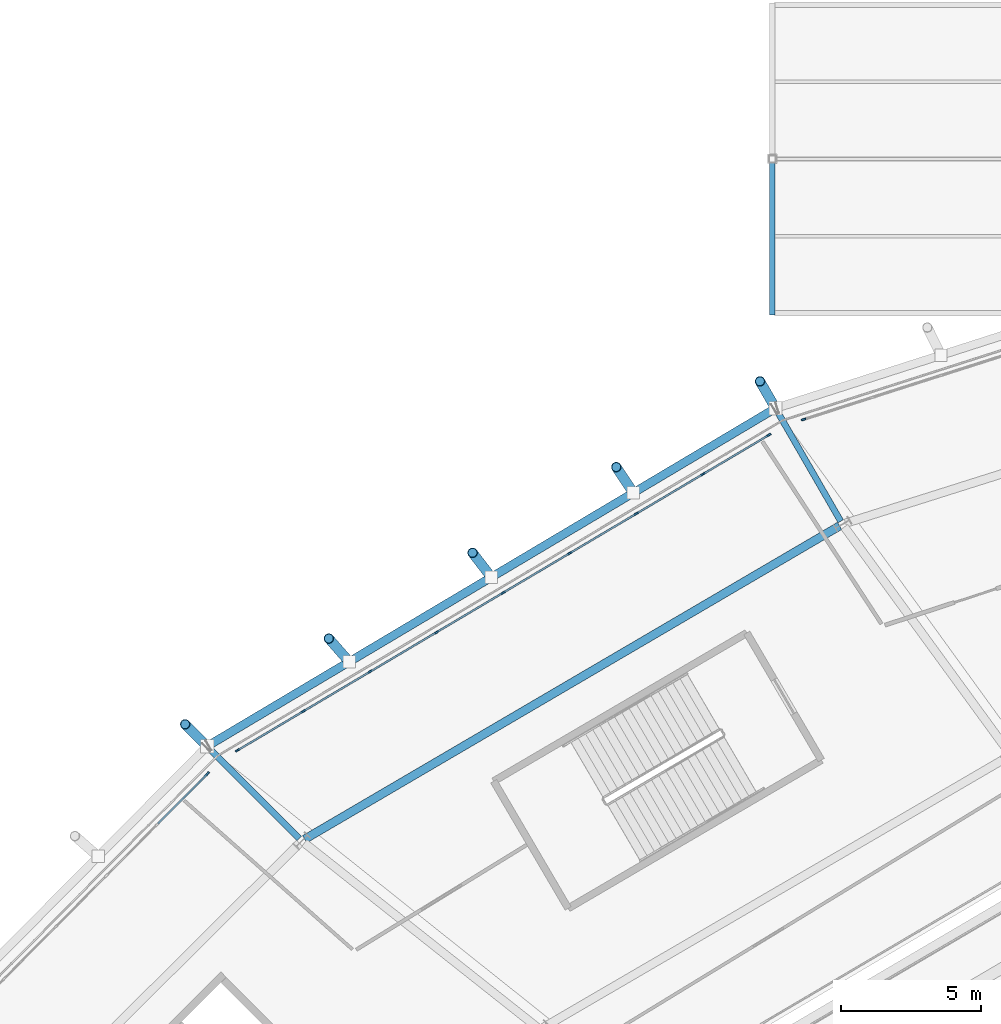
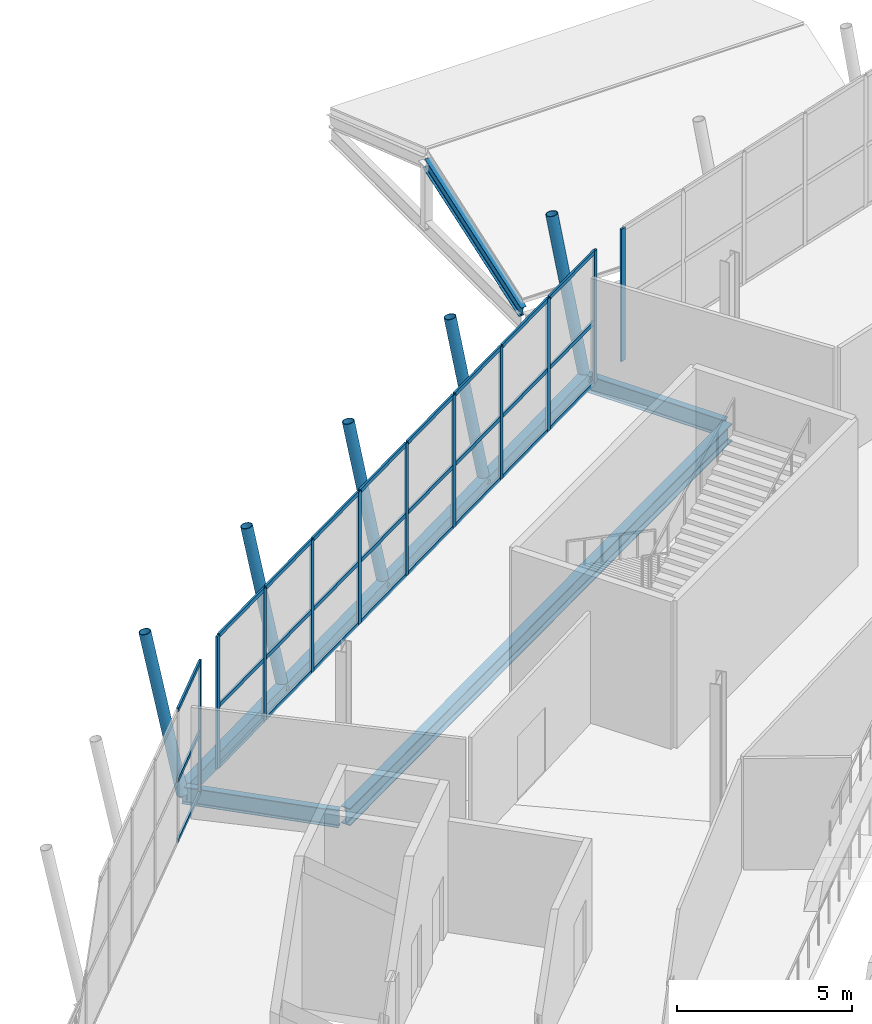
# One storey, part 49 of 126: 44 members, 4 beams, 3 elements without a shape of their own.
"""IFC4 building model written with IfcOpenShell, lengths in metres."""

from ifc_helpers import new_model, si_unit, direction, frame, origin, origin_2d, place, context, subcontext, project, spatial, rectangle, hollow_rectangle, hollow_circle, i_section, extrude, material, material_profile, profile_set, type_object, element, aggregate, save


model = new_model("IFC4")

# Units and contexts
model_context = context("Model", 3, precision=1e-05, world=origin(), true_north=direction((0.0, 1.0)))
body_context = subcontext(model_context, "Body", "Model", "MODEL_VIEW")
ifc_project = project(units=[si_unit("LENGTHUNIT", "METRE"), si_unit("AREAUNIT", "SQUARE_METRE"), si_unit("VOLUMEUNIT", "CUBIC_METRE"), si_unit("PLANEANGLEUNIT", "RADIAN"), si_unit("MASSUNIT", "GRAM", prefix="KILO")], contexts=[model_context])

# Site, building, storey
site_placement = place(None, origin())
site = spatial("IfcSite", under=ifc_project, at=site_placement, CompositionType="ELEMENT")
building_placement = place(site_placement, origin())
building = spatial("IfcBuilding", under=site, at=building_placement, Name="Zlatoyarsky Gate Stadium", CompositionType="ELEMENT")
storey_placement = place(building_placement, frame((0.0, 0.0, 20.800048828125)))
storey = spatial("IfcBuildingStorey", under=building, at=storey_placement, Name="L04", CompositionType="ELEMENT", Elevation=20.800048828125)

# Curtain wall, member
ifc_material_1 = material(Name="Thermally broken anodised aluminium curtain wall", Category="aluminium")
curtain_wall_type = type_object("IfcCurtainWallType", Name="UNITISED MEDIA RING GLAZING L04", PredefinedType="USERDEFINED", material=ifc_material_1)
curtain_wall_1_placement = place(storey_placement, origin())
curtain_wall_1 = element("IfcCurtainWall", 1, at=curtain_wall_1_placement, inside=storey, type_object=curtain_wall_type, Name="Curtain wall CW-L04-07", ObjectType="UNITISED GLAZING", PredefinedType="USERDEFINED")
ifc_material_2 = material(Name="Anodised aluminium 6063-T6", Category="aluminium")
ifc_material_profile_1 = material_profile(ifc_material_2, rectangle(XDim=0.06494140625, YDim=0.159912109375, at=origin_2d()), Name="ALU 65X160")
ifc_profile_set_1 = profile_set([ifc_material_profile_1], Name="Anodised aluminium 6063-T6")
member_type_1 = type_object("IfcMemberType", Name="ALUMINIUM MULLION 65X160", PredefinedType="MULLION", material=ifc_profile_set_1)
member_1_placement = place(storey_placement, frame((63.115234375, 145.220458984375, 0.0), z_axis=(0.0, 0.0, 1.0), x_axis=(0.305065730928, -0.952331297298, 0.0)))
member_1 = element("IfcMember", 2, at=member_1_placement, type_object=member_type_1, Name="CW-UG4 mullion 10", PredefinedType="MULLION", context=body_context, shape_type="SweptSolid", body=[
    extrude(rectangle(XDim=0.06494140625, YDim=0.159912109375, at=origin_2d()), origin(), (0.0, 0.0, 1.0), 4.619873046875),
])
aggregate(curtain_wall_1, [member_1])

# Curtain wall, members
curtain_wall_2_placement = place(storey_placement, origin())
curtain_wall_2 = element("IfcCurtainWall", 3, at=curtain_wall_2_placement, inside=storey, type_object=curtain_wall_type, Name="Curtain wall CW-L04-08", ObjectType="UNITISED GLAZING", PredefinedType="USERDEFINED")
member_2_placement = place(storey_placement, frame((61.878173828125, 144.663818359375, 0.0), z_axis=(0.0, 0.0, 1.0), x_axis=(0.510330476285, -0.859978374713, 0.0)))
member_2 = element("IfcMember", 4, at=member_2_placement, type_object=member_type_1, Name="CW-UG4 mullion 1", PredefinedType="MULLION", context=body_context, shape_type="SweptSolid", body=[
    extrude(rectangle(XDim=0.06494140625, YDim=0.159912109375, at=origin_2d()), origin(), (0.0, 0.0, 1.0), 4.619873046875),
])
member_3_placement = place(storey_placement, frame((59.532958984375, 143.272216796875, 0.0), z_axis=(0.0, 0.0, 1.0), x_axis=(0.510330476285, -0.859978374713, 0.0)))
member_3 = element("IfcMember", 5, at=member_3_placement, type_object=member_type_1, Name="CW-UG4 mullion 2", PredefinedType="MULLION", context=body_context, shape_type="SweptSolid", body=[
    extrude(rectangle(XDim=0.06494140625, YDim=0.159912109375, at=origin_2d()), origin(), (0.0, 0.0, 1.0), 4.619873046875),
])
member_4_placement = place(storey_placement, frame((57.15966796875, 141.86376953125, 0.0), z_axis=(0.0, 0.0, 1.0), x_axis=(0.510330476285, -0.859978374713, 0.0)))
member_4 = element("IfcMember", 6, at=member_4_placement, type_object=member_type_1, Name="CW-UG4 mullion 3", PredefinedType="MULLION", context=body_context, shape_type="SweptSolid", body=[
    extrude(rectangle(XDim=0.06494140625, YDim=0.159912109375, at=origin_2d()), origin(), (0.0, 0.0, 1.0), 4.619873046875),
])
member_5_placement = place(storey_placement, frame((54.78662109375, 140.45556640625, 0.0), z_axis=(0.0, 0.0, 1.0), x_axis=(0.510330476285, -0.859978374713, 0.0)))
member_5 = element("IfcMember", 7, at=member_5_placement, type_object=member_type_1, Name="CW-UG4 mullion 4", PredefinedType="MULLION", context=body_context, shape_type="SweptSolid", body=[
    extrude(rectangle(XDim=0.06494140625, YDim=0.159912109375, at=origin_2d()), origin(), (0.0, 0.0, 1.0), 4.619873046875),
])
member_6_placement = place(storey_placement, frame((52.413330078125, 139.047119140625, 0.0), z_axis=(0.0, 0.0, 1.0), x_axis=(0.510330476285, -0.859978374713, 0.0)))
member_6 = element("IfcMember", 8, at=member_6_placement, type_object=member_type_1, Name="CW-UG4 mullion 5", PredefinedType="MULLION", context=body_context, shape_type="SweptSolid", body=[
    extrude(rectangle(XDim=0.06494140625, YDim=0.159912109375, at=origin_2d()), origin(), (0.0, 0.0, 1.0), 4.619873046875),
])
member_7_placement = place(storey_placement, frame((50.0400390625, 137.638916015625, 0.0), z_axis=(0.0, 0.0, 1.0), x_axis=(0.510330476285, -0.859978374713, 0.0)))
member_7 = element("IfcMember", 9, at=member_7_placement, type_object=member_type_1, Name="CW-UG4 mullion 6", PredefinedType="MULLION", context=body_context, shape_type="SweptSolid", body=[
    extrude(rectangle(XDim=0.06494140625, YDim=0.159912109375, at=origin_2d()), origin(), (0.0, 0.0, 1.0), 4.619873046875),
])
member_8_placement = place(storey_placement, frame((47.666748046875, 136.23046875, 0.0), z_axis=(0.0, 0.0, 1.0), x_axis=(0.510330476285, -0.859978374713, 0.0)))
member_8 = element("IfcMember", 10, at=member_8_placement, type_object=member_type_1, Name="CW-UG4 mullion 7", PredefinedType="MULLION", context=body_context, shape_type="SweptSolid", body=[
    extrude(rectangle(XDim=0.06494140625, YDim=0.159912109375, at=origin_2d()), origin(), (0.0, 0.0, 1.0), 4.619873046875),
])
member_9_placement = place(storey_placement, frame((45.293701171875, 134.822265625, 0.0), z_axis=(0.0, 0.0, 1.0), x_axis=(0.510330476285, -0.859978374713, 0.0)))
member_9 = element("IfcMember", 11, at=member_9_placement, type_object=member_type_1, Name="CW-UG4 mullion 8", PredefinedType="MULLION", context=body_context, shape_type="SweptSolid", body=[
    extrude(rectangle(XDim=0.06494140625, YDim=0.159912109375, at=origin_2d()), origin(), (0.0, 0.0, 1.0), 4.619873046875),
])
member_10_placement = place(storey_placement, frame((42.9482421875, 133.430419921875, 0.0), z_axis=(0.0, 0.0, 1.0), x_axis=(0.510330476285, -0.859978374713, 0.0)))
member_10 = element("IfcMember", 12, at=member_10_placement, type_object=member_type_1, Name="CW-UG4 mullion 9", PredefinedType="MULLION", context=body_context, shape_type="SweptSolid", body=[
    extrude(rectangle(XDim=0.06494140625, YDim=0.159912109375, at=origin_2d()), origin(), (0.0, 0.0, 1.0), 4.619873046875),
])

# Curtain wall, member
curtain_wall_3_placement = place(storey_placement, origin())
curtain_wall_3 = element("IfcCurtainWall", 13, at=curtain_wall_3_placement, inside=storey, type_object=curtain_wall_type, Name="Curtain wall CW-L04-09", ObjectType="UNITISED GLAZING", PredefinedType="USERDEFINED")
member_11_placement = place(storey_placement, frame((41.880615234375, 132.59765625, 0.0), z_axis=(0.0, 0.0, 1.0), x_axis=(0.709870536386, -0.704332181269, 0.0)))
member_11 = element("IfcMember", 14, at=member_11_placement, type_object=member_type_1, Name="CW-UG4 mullion 1", PredefinedType="MULLION", context=body_context, shape_type="SweptSolid", body=[
    extrude(rectangle(XDim=0.06494140625, YDim=0.159912109375, at=origin_2d()), origin(), (0.0, 0.0, 1.0), 4.619873046875),
])

# Member
ifc_material_profile_2 = material_profile(ifc_material_2, rectangle(XDim=0.06494140625, YDim=0.139892578125, at=origin_2d()), Name="ALU 65X140")
ifc_profile_set_2 = profile_set([ifc_material_profile_2], Name="Anodised aluminium 6063-T6")
member_type_2 = type_object("IfcMemberType", Name="ALUMINIUM TRANSOM 65X140", PredefinedType="USERDEFINED", material=ifc_profile_set_2)
member_12_placement = place(storey_placement, frame((61.850341796875, 144.647216796875, 0.032470703125), z_axis=(-0.859999398438, -0.5102950467, 0.0), x_axis=(0.5102950467, -0.859999398438, 0.0)))
member_12 = element("IfcMember", 15, at=member_12_placement, type_object=member_type_2, Name="CW-UG4 transom 1.1", ObjectType="TRANSOM", PredefinedType="USERDEFINED", context=body_context, shape_type="SweptSolid", body=[
    extrude(rectangle(XDim=0.06494140625, YDim=0.139892578125, at=origin_2d()), origin(), (0.0, 0.0, 1.0), 2.661865234375),
])

member_13_placement = place(storey_placement, frame((61.850341796875, 144.647216796875, 2.14990234375), z_axis=(-0.859999398438, -0.5102950467, 0.0), x_axis=(0.5102950467, -0.859999398438, 0.0)))
member_13 = element("IfcMember", 16, at=member_13_placement, type_object=member_type_2, Name="CW-UG4 transom 1.2", ObjectType="TRANSOM", PredefinedType="USERDEFINED", context=body_context, shape_type="SweptSolid", body=[
    extrude(rectangle(XDim=0.06494140625, YDim=0.139892578125, at=origin_2d()), origin(), (0.0, 0.0, 1.0), 2.661865234375),
])

member_14_placement = place(storey_placement, frame((61.850341796875, 144.647216796875, 4.58740234375), z_axis=(-0.859999398438, -0.5102950467, 0.0), x_axis=(0.5102950467, -0.859999398438, 0.0)))
member_14 = element("IfcMember", 17, at=member_14_placement, type_object=member_type_2, Name="CW-UG4 transom 1.3", ObjectType="TRANSOM", PredefinedType="USERDEFINED", context=body_context, shape_type="SweptSolid", body=[
    extrude(rectangle(XDim=0.06494140625, YDim=0.139892578125, at=origin_2d()), origin(), (0.0, 0.0, 1.0), 2.661865234375),
])

member_15_placement = place(storey_placement, frame((59.505126953125, 143.255615234375, 0.032470703125), z_axis=(-0.859969067163, -0.510346160486, 0.0), x_axis=(0.510346160486, -0.859969067163, 0.0)))
member_15 = element("IfcMember", 18, at=member_15_placement, type_object=member_type_2, Name="CW-UG4 transom 2.1", ObjectType="TRANSOM", PredefinedType="USERDEFINED", context=body_context, shape_type="SweptSolid", body=[
    extrude(rectangle(XDim=0.06494140625, YDim=0.139892578125, at=origin_2d()), origin(), (0.0, 0.0, 1.0), 2.69482421875),
])

member_16_placement = place(storey_placement, frame((59.505126953125, 143.255615234375, 2.14990234375), z_axis=(-0.859969067163, -0.510346160486, 0.0), x_axis=(0.510346160486, -0.859969067163, 0.0)))
member_16 = element("IfcMember", 19, at=member_16_placement, type_object=member_type_2, Name="CW-UG4 transom 2.2", ObjectType="TRANSOM", PredefinedType="USERDEFINED", context=body_context, shape_type="SweptSolid", body=[
    extrude(rectangle(XDim=0.06494140625, YDim=0.139892578125, at=origin_2d()), origin(), (0.0, 0.0, 1.0), 2.69482421875),
])

member_17_placement = place(storey_placement, frame((59.505126953125, 143.255615234375, 4.58740234375), z_axis=(-0.859969067163, -0.510346160486, 0.0), x_axis=(0.510346160486, -0.859969067163, 0.0)))
member_17 = element("IfcMember", 20, at=member_17_placement, type_object=member_type_2, Name="CW-UG4 transom 2.3", ObjectType="TRANSOM", PredefinedType="USERDEFINED", context=body_context, shape_type="SweptSolid", body=[
    extrude(rectangle(XDim=0.06494140625, YDim=0.139892578125, at=origin_2d()), origin(), (0.0, 0.0, 1.0), 2.69482421875),
])

member_18_placement = place(storey_placement, frame((57.1318359375, 141.84716796875, 0.032470703125), z_axis=(-0.860008828809, -0.510279153377, 0.0), x_axis=(0.510279153377, -0.860008828809, 0.0)))
member_18 = element("IfcMember", 21, at=member_18_placement, type_object=member_type_2, Name="CW-UG4 transom 3.1", ObjectType="TRANSOM", PredefinedType="USERDEFINED", context=body_context, shape_type="SweptSolid", body=[
    extrude(rectangle(XDim=0.06494140625, YDim=0.139892578125, at=origin_2d()), origin(), (0.0, 0.0, 1.0), 2.694580078125),
])

member_19_placement = place(storey_placement, frame((57.1318359375, 141.84716796875, 2.14990234375), z_axis=(-0.860008828809, -0.510279153377, 0.0), x_axis=(0.510279153377, -0.860008828809, 0.0)))
member_19 = element("IfcMember", 22, at=member_19_placement, type_object=member_type_2, Name="CW-UG4 transom 3.2", ObjectType="TRANSOM", PredefinedType="USERDEFINED", context=body_context, shape_type="SweptSolid", body=[
    extrude(rectangle(XDim=0.06494140625, YDim=0.139892578125, at=origin_2d()), origin(), (0.0, 0.0, 1.0), 2.694580078125),
])

member_20_placement = place(storey_placement, frame((57.1318359375, 141.84716796875, 4.58740234375), z_axis=(-0.860008828809, -0.510279153377, 0.0), x_axis=(0.510279153377, -0.860008828809, 0.0)))
member_20 = element("IfcMember", 23, at=member_20_placement, type_object=member_type_2, Name="CW-UG4 transom 3.3", ObjectType="TRANSOM", PredefinedType="USERDEFINED", context=body_context, shape_type="SweptSolid", body=[
    extrude(rectangle(XDim=0.06494140625, YDim=0.139892578125, at=origin_2d()), origin(), (0.0, 0.0, 1.0), 2.694580078125),
])

member_21_placement = place(storey_placement, frame((54.758544921875, 140.43896484375, 0.032470703125), z_axis=(-0.859969067163, -0.510346160486, 0.0), x_axis=(0.510346160486, -0.859969067163, 0.0)))
member_21 = element("IfcMember", 24, at=member_21_placement, type_object=member_type_2, Name="CW-UG4 transom 4.1", ObjectType="TRANSOM", PredefinedType="USERDEFINED", context=body_context, shape_type="SweptSolid", body=[
    extrude(rectangle(XDim=0.06494140625, YDim=0.139892578125, at=origin_2d()), origin(), (0.0, 0.0, 1.0), 2.69482421875),
])

member_22_placement = place(storey_placement, frame((54.758544921875, 140.43896484375, 2.14990234375), z_axis=(-0.859969067163, -0.510346160486, 0.0), x_axis=(0.510346160486, -0.859969067163, 0.0)))
member_22 = element("IfcMember", 25, at=member_22_placement, type_object=member_type_2, Name="CW-UG4 transom 4.2", ObjectType="TRANSOM", PredefinedType="USERDEFINED", context=body_context, shape_type="SweptSolid", body=[
    extrude(rectangle(XDim=0.06494140625, YDim=0.139892578125, at=origin_2d()), origin(), (0.0, 0.0, 1.0), 2.69482421875),
])

member_23_placement = place(storey_placement, frame((54.758544921875, 140.43896484375, 4.58740234375), z_axis=(-0.859969067163, -0.510346160486, 0.0), x_axis=(0.510346160486, -0.859969067163, 0.0)))
member_23 = element("IfcMember", 26, at=member_23_placement, type_object=member_type_2, Name="CW-UG4 transom 4.3", ObjectType="TRANSOM", PredefinedType="USERDEFINED", context=body_context, shape_type="SweptSolid", body=[
    extrude(rectangle(XDim=0.06494140625, YDim=0.139892578125, at=origin_2d()), origin(), (0.0, 0.0, 1.0), 2.69482421875),
])

member_24_placement = place(storey_placement, frame((52.38525390625, 139.030517578125, 0.032470703125), z_axis=(-0.859985234265, -0.510318916803, 0.0), x_axis=(0.510318916803, -0.859985234265, 0.0)))
member_24 = element("IfcMember", 27, at=member_24_placement, type_object=member_type_2, Name="CW-UG4 transom 5.1", ObjectType="TRANSOM", PredefinedType="USERDEFINED", context=body_context, shape_type="SweptSolid", body=[
    extrude(rectangle(XDim=0.06494140625, YDim=0.139892578125, at=origin_2d()), origin(), (0.0, 0.0, 1.0), 2.6943359375),
])

member_25_placement = place(storey_placement, frame((52.38525390625, 139.030517578125, 2.14990234375), z_axis=(-0.859985234265, -0.510318916803, 0.0), x_axis=(0.510318916803, -0.859985234265, 0.0)))
member_25 = element("IfcMember", 28, at=member_25_placement, type_object=member_type_2, Name="CW-UG4 transom 5.2", ObjectType="TRANSOM", PredefinedType="USERDEFINED", context=body_context, shape_type="SweptSolid", body=[
    extrude(rectangle(XDim=0.06494140625, YDim=0.139892578125, at=origin_2d()), origin(), (0.0, 0.0, 1.0), 2.6943359375),
])

member_26_placement = place(storey_placement, frame((52.38525390625, 139.030517578125, 4.58740234375), z_axis=(-0.859985234265, -0.510318916803, 0.0), x_axis=(0.510318916803, -0.859985234265, 0.0)))
member_26 = element("IfcMember", 29, at=member_26_placement, type_object=member_type_2, Name="CW-UG4 transom 5.3", ObjectType="TRANSOM", PredefinedType="USERDEFINED", context=body_context, shape_type="SweptSolid", body=[
    extrude(rectangle(XDim=0.06494140625, YDim=0.139892578125, at=origin_2d()), origin(), (0.0, 0.0, 1.0), 2.6943359375),
])

member_27_placement = place(storey_placement, frame((50.01220703125, 137.622314453125, 0.032470703125), z_axis=(-0.859969067163, -0.510346160486, 0.0), x_axis=(0.510346160486, -0.859969067163, 0.0)))
member_27 = element("IfcMember", 30, at=member_27_placement, type_object=member_type_2, Name="CW-UG4 transom 6.1", ObjectType="TRANSOM", PredefinedType="USERDEFINED", context=body_context, shape_type="SweptSolid", body=[
    extrude(rectangle(XDim=0.06494140625, YDim=0.139892578125, at=origin_2d()), origin(), (0.0, 0.0, 1.0), 2.69482421875),
])

member_28_placement = place(storey_placement, frame((50.01220703125, 137.622314453125, 2.14990234375), z_axis=(-0.859969067163, -0.510346160486, 0.0), x_axis=(0.510346160486, -0.859969067163, 0.0)))
member_28 = element("IfcMember", 31, at=member_28_placement, type_object=member_type_2, Name="CW-UG4 transom 6.2", ObjectType="TRANSOM", PredefinedType="USERDEFINED", context=body_context, shape_type="SweptSolid", body=[
    extrude(rectangle(XDim=0.06494140625, YDim=0.139892578125, at=origin_2d()), origin(), (0.0, 0.0, 1.0), 2.69482421875),
])

member_29_placement = place(storey_placement, frame((50.01220703125, 137.622314453125, 4.58740234375), z_axis=(-0.859969067163, -0.510346160486, 0.0), x_axis=(0.510346160486, -0.859969067163, 0.0)))
member_29 = element("IfcMember", 32, at=member_29_placement, type_object=member_type_2, Name="CW-UG4 transom 6.3", ObjectType="TRANSOM", PredefinedType="USERDEFINED", context=body_context, shape_type="SweptSolid", body=[
    extrude(rectangle(XDim=0.06494140625, YDim=0.139892578125, at=origin_2d()), origin(), (0.0, 0.0, 1.0), 2.69482421875),
])

member_30_placement = place(storey_placement, frame((47.638916015625, 136.2138671875, 0.032470703125), z_axis=(-0.860008828809, -0.510279153377, 0.0), x_axis=(0.510279153377, -0.860008828809, 0.0)))
member_30 = element("IfcMember", 33, at=member_30_placement, type_object=member_type_2, Name="CW-UG4 transom 7.1", ObjectType="TRANSOM", PredefinedType="USERDEFINED", context=body_context, shape_type="SweptSolid", body=[
    extrude(rectangle(XDim=0.06494140625, YDim=0.139892578125, at=origin_2d()), origin(), (0.0, 0.0, 1.0), 2.694580078125),
])

member_31_placement = place(storey_placement, frame((47.638916015625, 136.2138671875, 2.14990234375), z_axis=(-0.860008828809, -0.510279153377, 0.0), x_axis=(0.510279153377, -0.860008828809, 0.0)))
member_31 = element("IfcMember", 34, at=member_31_placement, type_object=member_type_2, Name="CW-UG4 transom 7.2", ObjectType="TRANSOM", PredefinedType="USERDEFINED", context=body_context, shape_type="SweptSolid", body=[
    extrude(rectangle(XDim=0.06494140625, YDim=0.139892578125, at=origin_2d()), origin(), (0.0, 0.0, 1.0), 2.694580078125),
])

member_32_placement = place(storey_placement, frame((47.638916015625, 136.2138671875, 4.58740234375), z_axis=(-0.860008828809, -0.510279153377, 0.0), x_axis=(0.510279153377, -0.860008828809, 0.0)))
member_32 = element("IfcMember", 35, at=member_32_placement, type_object=member_type_2, Name="CW-UG4 transom 7.3", ObjectType="TRANSOM", PredefinedType="USERDEFINED", context=body_context, shape_type="SweptSolid", body=[
    extrude(rectangle(XDim=0.06494140625, YDim=0.139892578125, at=origin_2d()), origin(), (0.0, 0.0, 1.0), 2.694580078125),
])

member_33_placement = place(storey_placement, frame((45.265625, 134.8056640625, 0.032470703125), z_axis=(-0.859959148773, -0.510362873299, 0.0), x_axis=(0.510362873299, -0.859959148773, 0.0)))
member_33 = element("IfcMember", 36, at=member_33_placement, type_object=member_type_2, Name="CW-UG4 transom 8.1", ObjectType="TRANSOM", PredefinedType="USERDEFINED", context=body_context, shape_type="SweptSolid", body=[
    extrude(rectangle(XDim=0.06494140625, YDim=0.139892578125, at=origin_2d()), origin(), (0.0, 0.0, 1.0), 2.662109375),
])

member_34_placement = place(storey_placement, frame((45.265625, 134.8056640625, 2.14990234375), z_axis=(-0.859959148773, -0.510362873299, 0.0), x_axis=(0.510362873299, -0.859959148773, 0.0)))
member_34 = element("IfcMember", 37, at=member_34_placement, type_object=member_type_2, Name="CW-UG4 transom 8.2", ObjectType="TRANSOM", PredefinedType="USERDEFINED", context=body_context, shape_type="SweptSolid", body=[
    extrude(rectangle(XDim=0.06494140625, YDim=0.139892578125, at=origin_2d()), origin(), (0.0, 0.0, 1.0), 2.662109375),
])

member_35_placement = place(storey_placement, frame((45.265625, 134.8056640625, 4.58740234375), z_axis=(-0.859959148773, -0.510362873299, 0.0), x_axis=(0.510362873299, -0.859959148773, 0.0)))
member_35 = element("IfcMember", 38, at=member_35_placement, type_object=member_type_2, Name="CW-UG4 transom 8.3", ObjectType="TRANSOM", PredefinedType="USERDEFINED", context=body_context, shape_type="SweptSolid", body=[
    extrude(rectangle(XDim=0.06494140625, YDim=0.139892578125, at=origin_2d()), origin(), (0.0, 0.0, 1.0), 2.662109375),
])

aggregate(curtain_wall_2, [member_2, member_3, member_4, member_5, member_6, member_7, member_8, member_9, member_10, member_12, member_13, member_14, member_15, member_16, member_17, member_18, member_19, member_20, member_21, member_22, member_23, member_24, member_25, member_26, member_27, member_28, member_29, member_30, member_31, member_32, member_33, member_34, member_35])

member_36_placement = place(storey_placement, frame((41.85791015625, 132.57470703125, 0.032470703125), z_axis=(-0.704293097674, -0.709909312919, 0.0), x_axis=(0.709909312919, -0.704293097674, 0.0)))
member_36 = element("IfcMember", 39, at=member_36_placement, type_object=member_type_2, Name="CW-UG4 transom 1.1", ObjectType="TRANSOM", PredefinedType="USERDEFINED", context=body_context, shape_type="SweptSolid", body=[
    extrude(rectangle(XDim=0.06494140625, YDim=0.139892578125, at=origin_2d()), origin(), (0.0, 0.0, 1.0), 2.477783203125),
])

member_37_placement = place(storey_placement, frame((41.85791015625, 132.57470703125, 2.14990234375), z_axis=(-0.704293097674, -0.709909312919, 0.0), x_axis=(0.709909312919, -0.704293097674, 0.0)))
member_37 = element("IfcMember", 40, at=member_37_placement, type_object=member_type_2, Name="CW-UG4 transom 1.2", ObjectType="TRANSOM", PredefinedType="USERDEFINED", context=body_context, shape_type="SweptSolid", body=[
    extrude(rectangle(XDim=0.06494140625, YDim=0.139892578125, at=origin_2d()), origin(), (0.0, 0.0, 1.0), 2.477783203125),
])

member_38_placement = place(storey_placement, frame((41.85791015625, 132.57470703125, 4.58740234375), z_axis=(-0.704293097674, -0.709909312919, 0.0), x_axis=(0.709909312919, -0.704293097674, 0.0)))
member_38 = element("IfcMember", 41, at=member_38_placement, type_object=member_type_2, Name="CW-UG4 transom 1.3", ObjectType="TRANSOM", PredefinedType="USERDEFINED", context=body_context, shape_type="SweptSolid", body=[
    extrude(rectangle(XDim=0.06494140625, YDim=0.139892578125, at=origin_2d()), origin(), (0.0, 0.0, 1.0), 2.477783203125),
])

aggregate(curtain_wall_3, [member_11, member_36, member_37, member_38])

# Beams
ifc_material_3 = material(Name="Steel S355", Category="steel")
ifc_material_profile_3 = material_profile(ifc_material_3, i_section(OverallWidth=0.219970703125, OverallDepth=0.60009765625, WebThickness=0.011962890625, FlangeThickness=0.01904296875, FilletRadius=0.02392578125, at=origin_2d()), Name="IPE 600")
ifc_profile_set_3 = profile_set([ifc_material_profile_3], Name="Steel S355")
beam_type_1 = type_object("IfcBeamType", Name="STEEL CANTILEVER FLOOR BEAM IPE 600", PredefinedType="BEAM", material=ifc_profile_set_3)
beam_1_placement = place(storey_placement, frame((64.43994140625, 141.591796875, -0.60009765625), z_axis=(-0.499990627519, 0.866030814921, 0.0), x_axis=(-0.866030814921, -0.499990627519, 0.0)))
element("IfcBeam", 42, at=beam_1_placement, inside=storey, type_object=beam_type_1, Name="Beam B-IPE600 BM-L04-OUT-08", PredefinedType="BEAM", context=body_context, shape_type="SweptSolid", body=[
    extrude(i_section(OverallWidth=0.219970703125, OverallDepth=0.60009765625, WebThickness=0.011962890625, FlangeThickness=0.01904296875, FilletRadius=0.02392578125, at=origin_2d()), origin(), (0.0, 0.0, 1.0), 4.6494140625),
])
beam_2_placement = place(storey_placement, frame((45.154296875, 130.28955078125, -0.60009765625), z_axis=(-0.707133034989, 0.70708052641, 0.0), x_axis=(-0.70708052641, -0.707133034989, 0.0)))
element("IfcBeam", 43, at=beam_2_placement, inside=storey, type_object=beam_type_1, Name="Beam B-IPE600 BM-L04-OUT-09", PredefinedType="BEAM", context=body_context, shape_type="SweptSolid", body=[
    extrude(i_section(OverallWidth=0.219970703125, OverallDepth=0.60009765625, WebThickness=0.011962890625, FlangeThickness=0.01904296875, FilletRadius=0.02392578125, at=origin_2d()), origin(), (0.0, 0.0, 1.0), 4.649658203125),
])

# Members
ifc_material_profile_4 = material_profile(ifc_material_3, hollow_circle(Radius=0.177734375, WallThickness=0.02001953125, at=origin_2d()), Name="CHS 355.6X20")
ifc_profile_set_4 = profile_set([ifc_material_profile_4], Name="Steel S355")
member_type_3 = type_object("IfcMemberType", Name="STEEL LEANING RIB RING STRUT CHS 355.6X20", PredefinedType="STRUT", material=ifc_profile_set_4)
for number, where, z_axis, x_axis, name in (
    (44, (62.115234375, 145.618408203125, -0.60009765625), (-0.09982473092, 0.172912265189, 0.979865486505), (-0.866038875684, -0.49997666526, 0.0), "Leaning ring strut 08 L04 to L05"),
    (45, (41.866455078125, 133.5771484375, -0.60009765625), (-0.141204793351, 0.141204793351, 0.979858363576), (-0.707106781187, -0.707106781187, 0.0), "Leaning ring strut 09 L04 to L05"),
):
    element("IfcMember", number, at=place(storey_placement, frame(where, z_axis=z_axis, x_axis=x_axis)), inside=storey, type_object=member_type_3, Name=name, PredefinedType="STRUT", context=body_context, shape_type="SweptSolid", body=[
        extrude(hollow_circle(Radius=0.177734375, WallThickness=0.02001953125, at=origin_2d()), origin(), (0.0, 0.0, 1.0), 5.5517578125),
    ])
member_39_placement = place(storey_placement, frame((57.052978515625, 142.608154296875, -0.550048828125), z_axis=(-0.110187619691, 0.164995513557, 0.980119976826), x_axis=(-0.831606623216, -0.555365126941, 0.0)))
element("IfcMember", 46, at=member_39_placement, inside=storey, type_object=member_type_3, Name="Outward-leaning bowl louvre fin rib L04 08-1", PredefinedType="STRUT", context=body_context, shape_type="SweptSolid", body=[
    extrude(hollow_circle(Radius=0.177734375, WallThickness=0.02001953125, at=origin_2d()), origin(), (0.0, 0.0, 1.0), 5.55029296875),
])
member_40_placement = place(storey_placement, frame((51.990966796875, 139.597900390625, -0.550048828125), z_axis=(-0.120577890319, 0.157089984067, 0.980195750487), x_axis=(-0.793259421474, -0.608883806849, 0.0)))
element("IfcMember", 47, at=member_40_placement, inside=storey, type_object=member_type_3, Name="Outward-leaning bowl louvre fin rib L04 08-2", PredefinedType="STRUT", context=body_context, shape_type="SweptSolid", body=[
    extrude(hollow_circle(Radius=0.177734375, WallThickness=0.02001953125, at=origin_2d()), origin(), (0.0, 0.0, 1.0), 5.5498046875),
])
member_41_placement = place(storey_placement, frame((46.9287109375, 136.58740234375, -0.550048828125), z_axis=(-0.130904210433, 0.149158661821, 0.980110086314), x_axis=(-0.751601020667, -0.659617999854, 0.0)))
element("IfcMember", 48, at=member_41_placement, inside=storey, type_object=member_type_3, Name="Outward-leaning bowl louvre fin rib L04 08-3", PredefinedType="STRUT", context=body_context, shape_type="SweptSolid", body=[
    extrude(hollow_circle(Radius=0.177734375, WallThickness=0.02001953125, at=origin_2d()), origin(), (0.0, 0.0, 1.0), 5.55029296875),
])

# Beam
ifc_material_profile_5 = material_profile(ifc_material_3, hollow_rectangle(XDim=0.300048828125, YDim=0.5, WallThickness=0.02001953125, at=origin_2d()), Name="RHS 500X300X20")
ifc_profile_set_5 = profile_set([ifc_material_profile_5], Name="Steel S355")
beam_type_2 = type_object("IfcBeamType", Name="STEEL LOUVRE CARRIER SPANDREL RHS 500X300X20", PredefinedType="SPANDREL", material=ifc_profile_set_5)
beam_3_placement = place(storey_placement, frame((62.097900390625, 145.608154296875, -0.550048828125), z_axis=(-0.859506923216, -0.51112410327, 0.0), x_axis=(0.51112410327, -0.859506923216, 0.0)))
element("IfcBeam", 49, at=beam_3_placement, inside=storey, type_object=beam_type_2, Name="Beam SP-RHS500 BM-L04-SPD-08", PredefinedType="SPANDREL", context=body_context, shape_type="SweptSolid", body=[
    extrude(hollow_rectangle(XDim=0.300048828125, YDim=0.5, WallThickness=0.02001953125, at=origin_2d()), origin(), (0.0, 0.0, 1.0), 23.518310546875),
])

# Member
ifc_material_profile_6 = material_profile(ifc_material_3, i_section(OverallWidth=0.179931640625, OverallDepth=0.39990234375, WebThickness=0.008544921875, FlangeThickness=0.013427734375, FilletRadius=0.02099609375, at=origin_2d()), Name="IPE 400")
ifc_profile_set_6 = profile_set([ifc_material_profile_6], Name="Steel S355")
member_type_4 = type_object("IfcMemberType", Name="STEEL PAVILION ROOF RAFTER IPE 400", PredefinedType="RAFTER", material=ifc_profile_set_6)
member_42_placement = place(storey_placement, frame((62.0, 149.0, -0.199951171875), z_axis=(0.0, 0.946779405011, 0.321883143776), x_axis=(-1.0, 0.0, 0.0)))
element("IfcMember", 50, at=member_42_placement, inside=storey, type_object=member_type_4, Name="V2_NORTH_W roof rafter 1A", PredefinedType="RAFTER", context=body_context, shape_type="SweptSolid", body=[
    extrude(i_section(OverallWidth=0.179931640625, OverallDepth=0.39990234375, WebThickness=0.008544921875, FlangeThickness=0.013427734375, FilletRadius=0.02099609375, at=origin_2d()), origin(), (0.0, 0.0, 1.0), 5.80908203125),
])

# Beam
ifc_material_profile_7 = material_profile(ifc_material_3, i_section(OverallWidth=0.300048828125, OverallDepth=0.60009765625, WebThickness=0.015380859375, FlangeThickness=0.030029296875, FilletRadius=0.027099609375, at=origin_2d()), Name="HEB 600")
ifc_profile_set_7 = profile_set([ifc_material_profile_7], Name="Steel S355")
beam_type_3 = type_object("IfcBeamType", Name="STEEL PRIMARY GIRDER HEB 600", PredefinedType="BEAM", material=ifc_profile_set_7)
beam_4_placement = place(storey_placement, frame((64.396484375, 141.427001953125, -0.60009765625), z_axis=(-0.862854775092, -0.505451913738, 0.0), x_axis=(0.505451913738, -0.862854775092, 0.0)))
element("IfcBeam", 51, at=beam_4_placement, inside=storey, type_object=beam_type_3, Name="Beam G-HEB600 BM-L04-CRC-08", PredefinedType="BEAM", context=body_context, shape_type="SweptSolid", body=[
    extrude(i_section(OverallWidth=0.300048828125, OverallDepth=0.60009765625, WebThickness=0.015380859375, FlangeThickness=0.030029296875, FilletRadius=0.027099609375, at=origin_2d()), origin(), (0.0, 0.0, 1.0), 22.08251953125),
])

save(model, "model.ifc")
